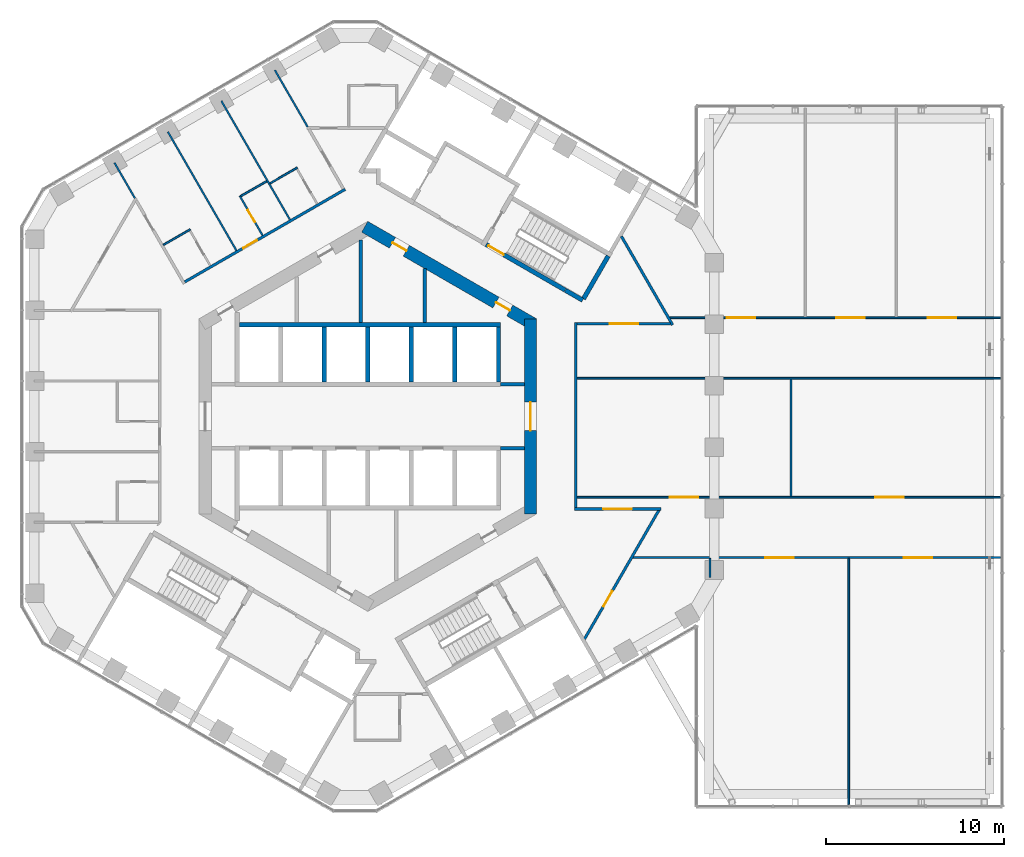
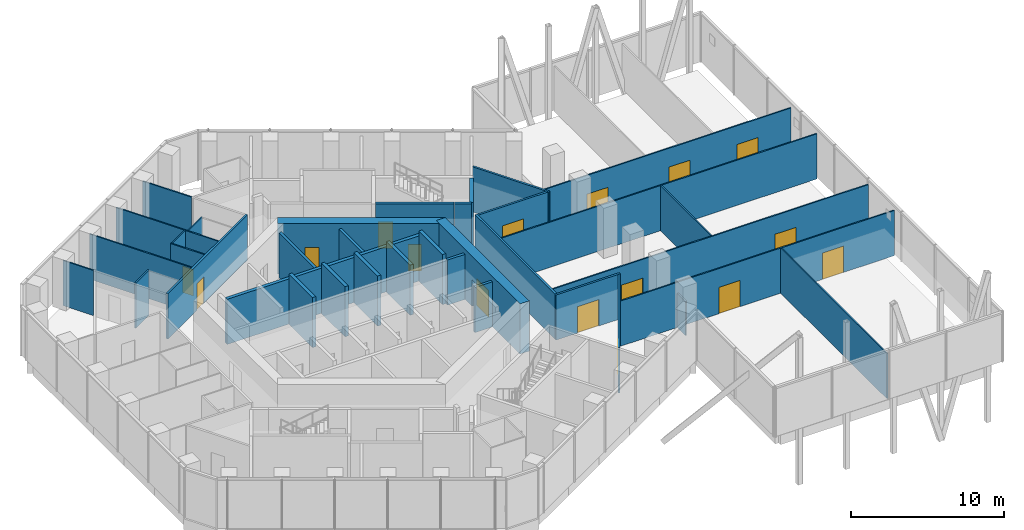
# One storey, part 20 of 24: 36 walls, 16 doors, 16 openings.
"""IFC4 building model written with IfcOpenShell, lengths in metres."""

import ifcopenshell
import ifcopenshell.guid

model = None  # the IFC model being written
_history = None  # IfcOwnerHistory: only IFC2X3 demands one
_inside = {}  # id of a spatial element -> (the spatial element, [elements in it])
_under = {}  # id of a project, library or spatial element -> (it, [spatial elements below it])
_declared = {}  # id of a project -> (the project, [libraries it declares])
_typed = {}  # id of a type object -> (the type object, [elements of that type])
_made_of = {}  # id of a material, layer set ... -> (it, [elements and type objects made of it])


def new_model(schema):
    """Start an empty IFC model of exactly this schema.

    Asked for "IFC4X3", IfcOpenShell would pick the latest addendum, in which some entities
    have other attributes; the version numbers below select the first issue.
    IFC2X3 requires an IfcOwnerHistory on every rooted entity: one is made here for all.
    """
    global model, _history
    if schema == "IFC4X3":
        model = ifcopenshell.file(schema_version=(4, 3, 0, 0))
    else:
        model = ifcopenshell.file(schema=schema)
    _inside.clear()
    _under.clear()
    _declared.clear()
    _typed.clear()
    _made_of.clear()
    _history = None
    if model.schema == "IFC2X3":
        org = make("IfcOrganization", Name="unknown")
        user = make(
            "IfcPersonAndOrganization",
            ThePerson=make("IfcPerson", FamilyName="unknown"),
            TheOrganization=org,
        )
        app = make(
            "IfcApplication",
            ApplicationDeveloper=org,
            Version="unknown",
            ApplicationFullName="unknown",
            ApplicationIdentifier="unknown",
        )
        _history = make(
            "IfcOwnerHistory",
            OwningUser=user,
            OwningApplication=app,
            ChangeAction="ADDED",
            CreationDate=0,
        )
    return model


def make(cls, **values):
    """One entity of the class cls with the attributes given. An attribute that is None is left unset."""
    return model.create_entity(
        cls, **{name: value for name, value in values.items() if value is not None}
    )


def rooted(cls, **values):
    """An entity with a GlobalId (a new one), such as an element, a storey or a relation."""
    return make(cls, GlobalId=ifcopenshell.guid.new(), OwnerHistory=_history, **values)


def si_unit(unit_type, name, prefix=None):
    """IfcSIUnit, for example si_unit("LENGTHUNIT", "METRE", prefix="MILLI")."""
    return make("IfcSIUnit", UnitType=unit_type, Prefix=prefix, Name=name)


def assignment(units):
    """IfcUnitAssignment: the units of a project."""
    return None if units is None else make("IfcUnitAssignment", Units=units)


def point(xyz):
    """IfcCartesianPoint."""
    return None if xyz is None else make("IfcCartesianPoint", Coordinates=xyz)


def direction(xyz):
    """IfcDirection."""
    return None if xyz is None else make("IfcDirection", DirectionRatios=xyz)


def frame(location, z_axis=None, x_axis=None):
    """IfcAxis2Placement3D, a coordinate frame: its origin and axes. An axis left out is left unset."""
    return make(
        "IfcAxis2Placement3D",
        Location=point(location),
        Axis=direction(z_axis),
        RefDirection=direction(x_axis),
    )


def frame_2d(location, x_axis=None):
    """IfcAxis2Placement2D, a coordinate frame in the plane: its origin and x axis."""
    return make(
        "IfcAxis2Placement2D", Location=point(location), RefDirection=direction(x_axis)
    )


def origin():
    """The frame at (0, 0, 0) with its axes left unset."""
    return frame((0.0, 0.0, 0.0))


def place(relative_to, where):
    """IfcLocalPlacement: puts the frame where relative to a parent placement (None: the world)."""
    return make(
        "IfcLocalPlacement", PlacementRelTo=relative_to, RelativePlacement=where
    )


def context(
    kind, dimensions, precision=None, world=None, true_north=None, identifier=None
):
    """IfcGeometricRepresentationContext, for example the 3D "Model" context."""
    return make(
        "IfcGeometricRepresentationContext",
        ContextIdentifier=identifier,
        ContextType=kind,
        CoordinateSpaceDimension=dimensions,
        Precision=precision,
        WorldCoordinateSystem=world,
        TrueNorth=true_north,
    )


def subcontext(parent, identifier, kind, view, scale=None):
    """IfcGeometricRepresentationSubContext, for example "Body" below "Model"."""
    return make(
        "IfcGeometricRepresentationSubContext",
        ContextIdentifier=identifier,
        ContextType=kind,
        ParentContext=parent,
        TargetScale=scale,
        TargetView=view,
    )


def project(units=None, contexts=None):
    """IfcProject with its units and contexts."""
    return rooted(
        "IfcProject",
        Name="project",
        RepresentationContexts=contexts,
        UnitsInContext=assignment(units),
    )


def spatial(cls, under=None, at=None, **own):
    """A site, building, storey or space (cls), placed at a placement, below another one or the project."""
    s = rooted(cls, ObjectPlacement=at, **own)
    if under is not None:
        _under.setdefault(under.id(), (under, []))[1].append(s)
    return s


def profile(cls, at=None, kind="AREA", **sizes):
    """A parametric profile (cls). Its sizes go by their IFC names, for example OverallWidth=200.0."""
    return make(cls, ProfileType=kind, Position=at, **sizes)


def rectangle(**sizes):
    """IfcRectangleProfileDef."""
    return profile("IfcRectangleProfileDef", **sizes)


def extrude(swept, where, along, depth):
    """IfcExtrudedAreaSolid: the profile swept, set in the frame where, extruded along a direction by depth."""
    return make(
        "IfcExtrudedAreaSolid",
        SweptArea=swept,
        Position=where,
        ExtrudedDirection=direction(along),
        Depth=depth,
    )


def shape(context_of_items, identifier, shape_type, items):
    """IfcShapeRepresentation: the items that make up one representation, for example the "Body"."""
    return make(
        "IfcShapeRepresentation",
        ContextOfItems=context_of_items,
        RepresentationIdentifier=identifier,
        RepresentationType=shape_type,
        Items=items,
    )


def material(Name=None, Category=None):
    """IfcMaterial."""
    return make("IfcMaterial", Name=Name, Category=Category)


def layer(
    of_material, thickness, ventilated=None, Name=None, Category=None, Priority=None
):
    """IfcMaterialLayer: one layer of a wall or slab, of a material (None: an air gap)."""
    return make(
        "IfcMaterialLayer",
        Material=of_material,
        LayerThickness=thickness,
        IsVentilated=ventilated,
        Name=Name,
        Category=Category,
        Priority=Priority,
    )


def layer_set(layers, Name=None):
    """IfcMaterialLayerSet."""
    return make("IfcMaterialLayerSet", MaterialLayers=layers, LayerSetName=Name)


def made_of(thing, what):
    """Note that an element or type object is made of a material, layer set ...; save() writes the relation."""
    if what is not None:
        _made_of.setdefault(what.id(), (what, []))[1].append(thing)
    return thing


def type_object(cls, material=None, **own):
    """A type object (cls), such as IfcWallType, which elements share."""
    return made_of(rooted(cls, **own), material)


def element(
    cls,
    number,
    at=None,
    inside=None,
    cuts=None,
    type_object=None,
    material=None,
    context=None,
    identifier="Body",
    shape_type=None,
    held_by="IfcProductDefinitionShape",
    body=None,
    shapes=None,
    **own,
):
    """One element of the class cls, such as IfcWall. Its Tag is "e" and its number.

    at: its placement. inside: the storey or other place that contains it. cuts: it is an
    opening in that element (IfcRelVoidsElement). A single representation is given by context,
    identifier, shape_type and body (its items); several are given by shapes. held_by: the class
    of the entity that holds the representations. save() writes the other relations.
    """
    e = rooted(cls, Tag="e%d" % number, ObjectPlacement=at, **own)
    if body is not None:
        shapes = [shape(context, identifier, shape_type, body)]
    if shapes is not None:
        e.Representation = make(held_by, Representations=shapes)
    if inside is not None:
        _inside.setdefault(inside.id(), (inside, []))[1].append(e)
    if cuts is not None:
        rooted(
            "IfcRelVoidsElement", RelatingBuildingElement=cuts, RelatedOpeningElement=e
        )
    if type_object is not None:
        _typed.setdefault(type_object.id(), (type_object, []))[1].append(e)
    return made_of(e, material)


def fill(opening, filler):
    """IfcRelFillsElement: the door or window that sits in an opening."""
    return rooted(
        "IfcRelFillsElement",
        RelatingOpeningElement=opening,
        RelatedBuildingElement=filler,
    )


def aggregate(whole, parts):
    """IfcRelAggregates: a whole, such as a stair, and the parts it consists of."""
    return rooted("IfcRelAggregates", RelatingObject=whole, RelatedObjects=parts)


def save(model, path):
    """Write the relations noted so far, then the file.

    IfcRelAggregates (storeys below a building ...), IfcRelContainedInSpatialStructure (elements
    in a storey), IfcRelDefinesByType, IfcRelAssociatesMaterial and IfcRelDeclares: one each for
    every whole, place, type object, material and project.
    """
    for whole, parts in _under.values():
        aggregate(whole, parts)
    for where, things in _inside.values():
        rooted(
            "IfcRelContainedInSpatialStructure",
            RelatedElements=things,
            RelatingStructure=where,
        )
    for kind, things in _typed.values():
        rooted("IfcRelDefinesByType", RelatedObjects=things, RelatingType=kind)
    for what, things in _made_of.values():
        rooted("IfcRelAssociatesMaterial", RelatedObjects=things, RelatingMaterial=what)
    for by, libraries in _declared.values():
        rooted("IfcRelDeclares", RelatingContext=by, RelatedDefinitions=libraries)
    model.write(path)


model = new_model("IFC4")

# Units and contexts
model_context = context("Model", 3, precision=1e-05, world=origin(), true_north=direction((0.0, 1.0)))
body_context = subcontext(model_context, "Body", "Model", "MODEL_VIEW")
ifc_project = project(units=[si_unit("LENGTHUNIT", "METRE"), si_unit("AREAUNIT", "SQUARE_METRE"), si_unit("VOLUMEUNIT", "CUBIC_METRE"), si_unit("PLANEANGLEUNIT", "RADIAN"), si_unit("MASSUNIT", "GRAM", prefix="KILO")], contexts=[model_context])

# Site, building, storey
site_placement = place(None, origin())
site = spatial("IfcSite", under=ifc_project, at=site_placement, CompositionType="ELEMENT")
building_placement = place(site_placement, origin())
building = spatial("IfcBuilding", under=site, at=building_placement, Name="Ayvan Gate Tower", CompositionType="ELEMENT")
storey_placement = place(building_placement, frame((0.0, 0.0, 124.5)))
storey = spatial("IfcBuildingStorey", under=building, at=storey_placement, Name="L33", CompositionType="ELEMENT", Elevation=124.5)

# Wall, opening, door
ifc_material_1 = material(Name="Concrete C70/85", Category="concrete")
ifc_layer_1 = layer(ifc_material_1, 0.699951171875)
ifc_layer_set_1 = layer_set([ifc_layer_1], Name="Concrete C70/85")
wall_type_1 = type_object("IfcWallType", Name="Core wall 700 C70/85", PredefinedType="SHEAR", material=ifc_layer_set_1)
wall_1_placement = place(storey_placement, frame((9.14990234375, -5.48486328125, 0.0), z_axis=(0.0, 0.0, 1.0), x_axis=(0.0, 1.0, 0.0)))
wall_1 = element("IfcWall", 1, at=wall_1_placement, inside=storey, type_object=wall_type_1, Name="CORE-L33-0", PredefinedType="SHEAR", context=body_context, shape_type="SweptSolid", body=[
    extrude(rectangle(XDim=10.9697265625, YDim=0.699951171875, at=frame_2d((5.48486328125, 0.0))), origin(), (0.0, 0.0, 1.0), 4.0),
])
opening_1_placement = place(wall_1_placement, frame((4.684814453125, 0.0, 0.0)))
opening_1 = element("IfcOpeningElement", 2, at=opening_1_placement, cuts=wall_1, Name="Opening L33-D51", PredefinedType="OPENING", context=body_context, shape_type="SweptSolid", body=[
    extrude(rectangle(XDim=1.60009765625, YDim=2.10009765625, at=frame_2d((0.800048828125, 1.050048828125))), frame((0.0, 0.35986328125, 0.0), z_axis=(0.0, -1.0, 0.0), x_axis=(1.0, 0.0, 0.0)), (0.0, 0.0, 1.0), 0.719970703125),
])
ifc_material_2 = material(Name="Timber door leaf", Category="wood")
door_type_1 = type_object("IfcDoorType", Name="DT-1600", OperationType="NOTDEFINED", PredefinedType="DOOR", material=ifc_material_2)
door_1_placement = place(opening_1_placement, origin())
door_1 = element("IfcDoor", 3, at=door_1_placement, inside=storey, type_object=door_type_1, Name="CD-L33-51", OperationType="SINGLE_SWING_RIGHT", OverallHeight=2.10009765625, OverallWidth=1.60009765625, PredefinedType="DOOR", context=body_context, shape_type="SweptSolid", body=[
    extrude(rectangle(XDim=1.60009765625, YDim=2.10009765625, at=frame_2d((0.800048828125, 1.050048828125))), frame((0.0, 0.02490234375, 0.0), z_axis=(0.0, -1.0, 0.0), x_axis=(1.0, 0.0, 0.0)), (0.0, 0.0, 1.0), 0.050048828125),
])
fill(opening_1, door_1)

# Wall, openings, doors
wall_2_placement = place(storey_placement, frame((9.324951171875, 5.181640625, 0.0), z_axis=(0.0, 0.0, 1.0), x_axis=(-0.866023993627, 0.500002442456, 0.0)))
wall_2 = element("IfcWall", 4, at=wall_2_placement, inside=storey, type_object=wall_type_1, Name="CORE-L33-1", PredefinedType="SHEAR", context=body_context, shape_type="SweptSolid", body=[
    extrude(rectangle(XDim=10.9697265625, YDim=0.699951171875, at=frame_2d((5.48486328125, 0.0))), origin(), (0.0, 0.0, 1.0), 4.0),
])
opening_2_placement = place(wall_2_placement, frame((8.267333984375, 0.0, 0.0)))
opening_2 = element("IfcOpeningElement", 5, at=opening_2_placement, cuts=wall_2, Name="Opening L33-D46", PredefinedType="OPENING", context=body_context, shape_type="SweptSolid", body=[
    extrude(rectangle(XDim=0.89990234375, YDim=2.10009765625, at=frame_2d((0.449951171875, 1.050048828125))), frame((0.0, 0.35986328125, 0.0), z_axis=(0.0, -1.0, 0.0), x_axis=(1.0, 0.0, 0.0)), (0.0, 0.0, 1.0), 0.719970703125),
])
opening_3_placement = place(wall_2_placement, frame((1.547119140625, 0.0, 0.0)))
opening_3 = element("IfcOpeningElement", 6, at=opening_3_placement, cuts=wall_2, Name="Opening L33-D47", PredefinedType="OPENING", context=body_context, shape_type="SweptSolid", body=[
    extrude(rectangle(XDim=0.89990234375, YDim=2.10009765625, at=frame_2d((0.449951171875, 1.050048828125))), frame((0.0, 0.35986328125, 0.0), z_axis=(0.0, -1.0, 0.0), x_axis=(1.0, 0.0, 0.0)), (0.0, 0.0, 1.0), 0.719970703125),
])
door_type_2 = type_object("IfcDoorType", Name="DT-900", OperationType="NOTDEFINED", PredefinedType="DOOR", material=ifc_material_2)
door_2_placement = place(opening_2_placement, origin())
door_2 = element("IfcDoor", 7, at=door_2_placement, inside=storey, type_object=door_type_2, Name="CD-L33-46", OperationType="SINGLE_SWING_LEFT", OverallHeight=2.10009765625, OverallWidth=0.89990234375, PredefinedType="DOOR", context=body_context, shape_type="SweptSolid", body=[
    extrude(rectangle(XDim=0.89990234375, YDim=2.10009765625, at=frame_2d((0.449951171875, 1.050048828125))), frame((0.0, 0.02490234375, 0.0), z_axis=(0.0, -1.0, 0.0), x_axis=(1.0, 0.0, 0.0)), (0.0, 0.0, 1.0), 0.050048828125),
])
fill(opening_2, door_2)
door_3_placement = place(opening_3_placement, origin())
door_3 = element("IfcDoor", 8, at=door_3_placement, inside=storey, type_object=door_type_2, Name="CD-L33-47", OperationType="SINGLE_SWING_RIGHT", OverallHeight=2.10009765625, OverallWidth=0.89990234375, PredefinedType="DOOR", context=body_context, shape_type="SweptSolid", body=[
    extrude(rectangle(XDim=0.89990234375, YDim=2.10009765625, at=frame_2d((0.449951171875, 1.050048828125))), frame((0.0, 0.02490234375, 0.0), z_axis=(0.0, -1.0, 0.0), x_axis=(1.0, 0.0, 0.0)), (0.0, 0.0, 1.0), 0.050048828125),
])
fill(opening_3, door_3)

# Wall, opening, door
ifc_material_3 = material(Name="Plasterboard on steel stud", Category="steel")
ifc_layer_2 = layer(ifc_material_3, 0.14990234375)
ifc_layer_set_2 = layer_set([ifc_layer_2], Name="Plasterboard on steel stud")
wall_type_2 = type_object("IfcWallType", Name="WT-CORR-150", PredefinedType="PARTITIONING", material=ifc_layer_set_2)
wall_3_placement = place(storey_placement, frame((-10.297119140625, 7.56494140625, 0.0), z_axis=(0.0, 0.0, 1.0), x_axis=(0.866021325373, 0.50000706395, 0.0)))
wall_3 = element("IfcWall", 9, at=wall_3_placement, inside=storey, type_object=wall_type_2, Name="IW-L33-019", PredefinedType="PARTITIONING", context=body_context, shape_type="SweptSolid", body=[
    extrude(rectangle(XDim=10.420166015625, YDim=0.14990234375, at=frame_2d((5.2099609375, 0.0))), origin(), (0.0, 0.0, 1.0), 3.60009765625),
])
opening_4_placement = place(wall_3_placement, frame((3.79833984375, 0.0, 0.0)))
opening_4 = element("IfcOpeningElement", 10, at=opening_4_placement, cuts=wall_3, Name="Opening L33-D30", PredefinedType="OPENING", context=body_context, shape_type="SweptSolid", body=[
    extrude(rectangle(XDim=0.89990234375, YDim=2.10009765625, at=frame_2d((0.449951171875, 1.050048828125))), frame((0.0, 0.0849609375, 0.0), z_axis=(0.0, -1.0, 0.0), x_axis=(1.0, 0.0, 0.0)), (0.0, 0.0, 1.0), 0.169921875),
])
door_4_placement = place(opening_4_placement, origin())
door_4 = element("IfcDoor", 11, at=door_4_placement, inside=storey, type_object=door_type_2, Name="ID-L33-030", OperationType="SINGLE_SWING_LEFT", OverallHeight=2.10009765625, OverallWidth=0.89990234375, PredefinedType="DOOR", context=body_context, shape_type="SweptSolid", body=[
    extrude(rectangle(XDim=0.89990234375, YDim=2.10009765625, at=frame_2d((0.449951171875, 1.050048828125))), frame((0.0, 0.02490234375, 0.0), z_axis=(0.0, -1.0, 0.0), x_axis=(1.0, 0.0, 0.0)), (0.0, 0.0, 1.0), 0.050048828125),
])
fill(opening_4, door_4)

wall_4_placement = place(storey_placement, frame((11.625, -5.210205078125, 0.0), z_axis=(0.0, 0.0, 1.0), x_axis=(1.0, 0.0, 0.0)))
wall_4 = element("IfcWall", 12, at=wall_4_placement, inside=storey, type_object=wall_type_2, Name="IW-L33-105", PredefinedType="PARTITIONING", context=body_context, shape_type="SweptSolid", body=[
    extrude(rectangle(XDim=4.862548828125, YDim=0.14990234375, at=frame_2d((2.43115234375, 0.0))), origin(), (0.0, 0.0, 1.0), 3.60009765625),
])
opening_5_placement = place(wall_4_placement, frame((1.631103515625, 0.0, 0.0)))
opening_5 = element("IfcOpeningElement", 13, at=opening_5_placement, cuts=wall_4, Name="Opening L33-D34", PredefinedType="OPENING", context=body_context, shape_type="SweptSolid", body=[
    extrude(rectangle(XDim=1.60009765625, YDim=2.10009765625, at=frame_2d((0.800048828125, 1.050048828125))), frame((0.0, 0.0849609375, 0.0), z_axis=(0.0, -1.0, 0.0), x_axis=(1.0, 0.0, 0.0)), (0.0, 0.0, 1.0), 0.169921875),
])
door_5_placement = place(opening_5_placement, origin())
door_5 = element("IfcDoor", 14, at=door_5_placement, inside=storey, type_object=door_type_1, Name="ID-L33-034", OperationType="SINGLE_SWING_LEFT", OverallHeight=2.10009765625, OverallWidth=1.60009765625, PredefinedType="DOOR", context=body_context, shape_type="SweptSolid", body=[
    extrude(rectangle(XDim=1.60009765625, YDim=2.10009765625, at=frame_2d((0.800048828125, 1.050048828125))), frame((0.0, 0.02490234375, 0.0), z_axis=(0.0, -1.0, 0.0), x_axis=(1.0, 0.0, 0.0)), (0.0, 0.0, 1.0), 0.050048828125),
])
fill(opening_5, door_5)

# Walls
wall_5_placement = place(storey_placement, frame((11.699951171875, -5.135009765625, 0.0), z_axis=(0.0, 0.0, 1.0), x_axis=(0.0, 1.0, 0.0)))
element("IfcWall", 15, at=wall_5_placement, inside=storey, type_object=wall_type_2, Name="IW-L33-107", PredefinedType="PARTITIONING", context=body_context, shape_type="SweptSolid", body=[
    extrude(rectangle(XDim=10.420166015625, YDim=0.14990234375, at=frame_2d((5.2099609375, 0.0))), origin(), (0.0, 0.0, 1.0), 3.60009765625),
])
wall_6_placement = place(storey_placement, frame((14.263671875, 10.132080078125, 0.0), z_axis=(0.0, 0.0, 1.0), x_axis=(0.500001380108, -0.866024606977, 0.0)))
element("IfcWall", 16, at=wall_6_placement, inside=storey, type_object=wall_type_2, Name="IW-L33-110", PredefinedType="PARTITIONING", context=body_context, shape_type="SweptSolid", body=[
    extrude(rectangle(XDim=5.75830078125, YDim=0.14990234375, at=frame_2d((2.879150390625, 0.0))), origin(), (0.0, 0.0, 1.0), 3.60009765625),
])

# Wall, opening, door
wall_7_placement = place(storey_placement, frame((12.18505859375, -12.531982421875, 0.0), z_axis=(0.0, 0.0, 1.0), x_axis=(0.500018368146, 0.86601479867, 0.0)))
wall_7 = element("IfcWall", 17, at=wall_7_placement, inside=storey, type_object=wall_type_2, Name="IW-L33-112", PredefinedType="PARTITIONING", context=body_context, shape_type="SweptSolid", body=[
    extrude(rectangle(XDim=8.379638671875, YDim=0.14990234375, at=frame_2d((4.18994140625, 0.0))), origin(), (0.0, 0.0, 1.0), 3.60009765625),
])
opening_6_placement = place(wall_7_placement, frame((2.134521484375, 0.0, 0.0)))
opening_6 = element("IfcOpeningElement", 18, at=opening_6_placement, cuts=wall_7, Name="Opening L33-D36", PredefinedType="OPENING", context=body_context, shape_type="SweptSolid", body=[
    extrude(rectangle(XDim=1.0, YDim=2.10009765625, at=frame_2d((0.5, 1.050048828125))), frame((0.0, 0.0849609375, 0.0), z_axis=(0.0, -1.0, 0.0), x_axis=(1.0, 0.0, 0.0)), (0.0, 0.0, 1.0), 0.169921875),
])
door_type_3 = type_object("IfcDoorType", Name="DT-1000", OperationType="NOTDEFINED", PredefinedType="DOOR", material=ifc_material_2)
door_6_placement = place(opening_6_placement, origin())
door_6 = element("IfcDoor", 19, at=door_6_placement, inside=storey, type_object=door_type_3, Name="ID-L33-036", OperationType="SINGLE_SWING_LEFT", OverallHeight=2.10009765625, OverallWidth=1.0, PredefinedType="DOOR", context=body_context, shape_type="SweptSolid", body=[
    extrude(rectangle(XDim=1.0, YDim=2.10009765625, at=frame_2d((0.5, 1.050048828125))), frame((0.0, 0.02490234375, 0.0), z_axis=(0.0, -1.0, 0.0), x_axis=(1.0, 0.0, 0.0)), (0.0, 0.0, 1.0), 0.050048828125),
])
fill(opening_6, door_6)

wall_8_placement = place(storey_placement, frame((17.0302734375, 5.210205078125, 0.0), z_axis=(0.0, 0.0, 1.0), x_axis=(-1.0, 0.0, 0.0)))
wall_8 = element("IfcWall", 20, at=wall_8_placement, inside=storey, type_object=wall_type_2, Name="IW-L33-114", PredefinedType="PARTITIONING", context=body_context, shape_type="SweptSolid", body=[
    extrude(rectangle(XDim=5.25537109375, YDim=0.14990234375, at=frame_2d((2.627685546875, 0.0))), origin(), (0.0, 0.0, 1.0), 3.60009765625),
])
opening_7_placement = place(wall_8_placement, frame((1.82763671875, 0.0, 0.0)))
opening_7 = element("IfcOpeningElement", 21, at=opening_7_placement, cuts=wall_8, Name="Opening L33-D35", PredefinedType="OPENING", context=body_context, shape_type="SweptSolid", body=[
    extrude(rectangle(XDim=1.60009765625, YDim=2.10009765625, at=frame_2d((0.800048828125, 1.050048828125))), frame((0.0, 0.0849609375, 0.0), z_axis=(0.0, -1.0, 0.0), x_axis=(1.0, 0.0, 0.0)), (0.0, 0.0, 1.0), 0.169921875),
])
door_7_placement = place(opening_7_placement, origin())
door_7 = element("IfcDoor", 22, at=door_7_placement, inside=storey, type_object=door_type_1, Name="ID-L33-035", OperationType="SINGLE_SWING_RIGHT", OverallHeight=2.10009765625, OverallWidth=1.60009765625, PredefinedType="DOOR", context=body_context, shape_type="SweptSolid", body=[
    extrude(rectangle(XDim=1.60009765625, YDim=2.10009765625, at=frame_2d((0.800048828125, 1.050048828125))), frame((0.0, 0.02490234375, 0.0), z_axis=(0.0, -1.0, 0.0), x_axis=(1.0, 0.0, 0.0)), (0.0, 0.0, 1.0), 0.050048828125),
])
fill(opening_7, door_7)

# Walls
ifc_layer_3 = layer(ifc_material_3, 0.10009765625)
ifc_layer_set_3 = layer_set([ifc_layer_3], Name="Plasterboard on steel stud")
wall_type_3 = type_object("IfcWallType", Name="WT-PART-100", PredefinedType="PARTITIONING", material=ifc_layer_set_3)
wall_9_placement = place(storey_placement, frame((-14.2548828125, 14.27001953125, 0.0), z_axis=(0.0, 0.0, 1.0), x_axis=(0.499954687168, -0.86605156358, 0.0)))
element("IfcWall", 23, at=wall_9_placement, inside=storey, type_object=wall_type_3, Name="IW-L33-005", PredefinedType="PARTITIONING", context=body_context, shape_type="SweptSolid", body=[
    extrude(rectangle(XDim=2.305419921875, YDim=0.10009765625, at=frame_2d((1.15283203125, 0.0))), origin(), (0.0, 0.0, 1.0), 3.60009765625),
])
wall_10_placement = place(storey_placement, frame((-9.98291015625, 10.517578125, 0.0), z_axis=(0.0, 0.0, 1.0), x_axis=(-0.866008858732, -0.500028655776, 0.0)))
element("IfcWall", 24, at=wall_10_placement, inside=storey, type_object=wall_type_3, Name="IW-L33-020", PredefinedType="PARTITIONING", context=body_context, shape_type="SweptSolid", body=[
    extrude(rectangle(XDim=1.74853515625, YDim=0.10009765625, at=frame_2d((0.874267578125, 0.0))), origin(), (0.0, 0.0, 1.0), 3.60009765625),
])
wall_11_placement = place(storey_placement, frame((-7.3916015625, 9.3291015625, 0.0), z_axis=(0.0, 0.0, 1.0), x_axis=(-0.499997453958, 0.866026873738, 0.0)))
element("IfcWall", 25, at=wall_11_placement, inside=storey, type_object=wall_type_3, Name="IW-L33-027", PredefinedType="PARTITIONING", context=body_context, shape_type="SweptSolid", body=[
    extrude(rectangle(XDim=7.71044921875, YDim=0.10009765625, at=frame_2d((3.855224609375, 0.0))), origin(), (0.0, 0.0, 1.0), 3.60009765625),
])

# Wall, opening, door
wall_12_placement = place(storey_placement, frame((-7.206787109375, 12.4091796875, 0.0), z_axis=(0.0, 0.0, 1.0), x_axis=(0.500034319456, -0.866005588531, 0.0)))
wall_12 = element("IfcWall", 26, at=wall_12_placement, inside=storey, type_object=wall_type_3, Name="IW-L33-033", PredefinedType="PARTITIONING", context=body_context, shape_type="SweptSolid", body=[
    extrude(rectangle(XDim=2.574951171875, YDim=0.10009765625, at=frame_2d((1.28759765625, 0.0))), origin(), (0.0, 0.0, 1.0), 3.60009765625),
])
opening_8_placement = place(wall_12_placement, frame((0.91259765625, 0.0, 0.0)))
opening_8 = element("IfcOpeningElement", 27, at=opening_8_placement, cuts=wall_12, Name="Opening L33-D31", PredefinedType="OPENING", context=body_context, shape_type="SweptSolid", body=[
    extrude(rectangle(XDim=0.800048828125, YDim=2.10009765625, at=frame_2d((0.39990234375, 1.050048828125))), frame((0.0, 0.06005859375, 0.0), z_axis=(0.0, -1.0, 0.0), x_axis=(1.0, 0.0, 0.0)), (0.0, 0.0, 1.0), 0.1201171875),
])
door_type_4 = type_object("IfcDoorType", Name="DT-800", OperationType="NOTDEFINED", PredefinedType="DOOR", material=ifc_material_2)
door_8_placement = place(opening_8_placement, origin())
door_8 = element("IfcDoor", 28, at=door_8_placement, inside=storey, type_object=door_type_4, Name="ID-L33-031", OperationType="SINGLE_SWING_RIGHT", OverallHeight=2.10009765625, OverallWidth=0.800048828125, PredefinedType="DOOR", context=body_context, shape_type="SweptSolid", body=[
    extrude(rectangle(XDim=0.800048828125, YDim=2.10009765625, at=frame_2d((0.39990234375, 1.050048828125))), frame((0.0, 0.02490234375, 0.0), z_axis=(0.0, -1.0, 0.0), x_axis=(1.0, 0.0, 0.0)), (0.0, 0.0, 1.0), 0.050048828125),
])
fill(opening_8, door_8)

# Walls
wall_13_placement = place(storey_placement, frame((-5.689208984375, 13.2275390625, 0.0), z_axis=(0.0, 0.0, 1.0), x_axis=(-0.866034955486, -0.499983455602, 0.0)))
element("IfcWall", 29, at=wall_13_placement, inside=storey, type_object=wall_type_3, Name="IW-L33-036", PredefinedType="PARTITIONING", context=body_context, shape_type="SweptSolid", body=[
    extrude(rectangle(XDim=1.67333984375, YDim=0.10009765625, at=frame_2d((0.836669921875, 0.0))), origin(), (0.0, 0.0, 1.0), 3.60009765625),
])
wall_14_placement = place(storey_placement, frame((-8.23876953125, 17.743408203125, 0.0), z_axis=(0.0, 0.0, 1.0), x_axis=(0.499997453958, -0.866026873738, 0.0)))
element("IfcWall", 30, at=wall_14_placement, inside=storey, type_object=wall_type_3, Name="IW-L33-037", PredefinedType="PARTITIONING", context=body_context, shape_type="SweptSolid", body=[
    extrude(rectangle(XDim=7.71044921875, YDim=0.10009765625, at=frame_2d((3.855224609375, 0.0))), origin(), (0.0, 0.0, 1.0), 3.60009765625),
])
wall_15_placement = place(storey_placement, frame((-3.966796875, 13.990966796875, 0.0), z_axis=(0.0, 0.0, 1.0), x_axis=(-0.866031993141, -0.499988586725, 0.0)))
element("IfcWall", 31, at=wall_15_placement, inside=storey, type_object=wall_type_3, Name="IW-L33-042", PredefinedType="PARTITIONING", context=body_context, shape_type="SweptSolid", body=[
    extrude(rectangle(XDim=1.7734375, YDim=0.10009765625, at=frame_2d((0.88671875, 0.0))), origin(), (0.0, 0.0, 1.0), 3.60009765625),
])
wall_16_placement = place(storey_placement, frame((-3.38525390625, 16.28369140625, 0.0), z_axis=(0.0, 0.0, 1.0), x_axis=(-0.500016385341, 0.866015943496, 0.0)))
element("IfcWall", 32, at=wall_16_placement, inside=storey, type_object=wall_type_3, Name="IW-L33-045", PredefinedType="PARTITIONING", context=body_context, shape_type="SweptSolid", body=[
    extrude(rectangle(XDim=3.69091796875, YDim=0.10009765625, at=frame_2d((1.845458984375, 0.0))), origin(), (0.0, 0.0, 1.0), 3.60009765625),
])

# Wall, openings, doors
wall_17_placement = place(storey_placement, frame((11.77490234375, -4.543212890625, 0.0), z_axis=(0.0, 0.0, 1.0), x_axis=(1.0, 0.0, 0.0)))
wall_17 = element("IfcWall", 33, at=wall_17_placement, inside=storey, type_object=wall_type_3, Name="IW-L33-106", PredefinedType="PARTITIONING", context=body_context, shape_type="SweptSolid", body=[
    extrude(rectangle(XDim=23.806640625, YDim=0.10009765625, at=frame_2d((11.9033203125, 0.0))), origin(), (0.0, 0.0, 1.0), 3.60009765625),
])
opening_9_placement = place(wall_17_placement, frame((5.201171875, 0.0, 0.0)))
opening_9 = element("IfcOpeningElement", 34, at=opening_9_placement, cuts=wall_17, Name="Opening L33-D42", PredefinedType="OPENING", context=body_context, shape_type="SweptSolid", body=[
    extrude(rectangle(XDim=1.60009765625, YDim=2.10009765625, at=frame_2d((0.800048828125, 1.050048828125))), frame((0.0, 0.06005859375, 0.0), z_axis=(0.0, -1.0, 0.0), x_axis=(1.0, 0.0, 0.0)), (0.0, 0.0, 1.0), 0.1201171875),
])
opening_10_placement = place(wall_17_placement, frame((16.761474609375, 0.0, 0.0)))
opening_10 = element("IfcOpeningElement", 35, at=opening_10_placement, cuts=wall_17, Name="Opening L33-D43", PredefinedType="OPENING", context=body_context, shape_type="SweptSolid", body=[
    extrude(rectangle(XDim=1.60009765625, YDim=2.10009765625, at=frame_2d((0.800048828125, 1.050048828125))), frame((0.0, 0.06005859375, 0.0), z_axis=(0.0, -1.0, 0.0), x_axis=(1.0, 0.0, 0.0)), (0.0, 0.0, 1.0), 0.1201171875),
])
door_9_placement = place(opening_9_placement, origin())
door_9 = element("IfcDoor", 36, at=door_9_placement, inside=storey, type_object=door_type_1, Name="ID-L33-042", OperationType="SINGLE_SWING_LEFT", OverallHeight=2.10009765625, OverallWidth=1.60009765625, PredefinedType="DOOR", context=body_context, shape_type="SweptSolid", body=[
    extrude(rectangle(XDim=1.60009765625, YDim=2.10009765625, at=frame_2d((0.800048828125, 1.050048828125))), frame((0.0, 0.02490234375, 0.0), z_axis=(0.0, -1.0, 0.0), x_axis=(1.0, 0.0, 0.0)), (0.0, 0.0, 1.0), 0.050048828125),
])
fill(opening_9, door_9)
door_10_placement = place(opening_10_placement, origin())
door_10 = element("IfcDoor", 37, at=door_10_placement, inside=storey, type_object=door_type_1, Name="ID-L33-043", OperationType="SINGLE_SWING_RIGHT", OverallHeight=2.10009765625, OverallWidth=1.60009765625, PredefinedType="DOOR", context=body_context, shape_type="SweptSolid", body=[
    extrude(rectangle(XDim=1.60009765625, YDim=2.10009765625, at=frame_2d((0.800048828125, 1.050048828125))), frame((0.0, 0.02490234375, 0.0), z_axis=(0.0, -1.0, 0.0), x_axis=(1.0, 0.0, 0.0)), (0.0, 0.0, 1.0), 0.050048828125),
])
fill(opening_10, door_10)

wall_18_placement = place(storey_placement, frame((16.988037109375, 5.543212890625, 0.0), z_axis=(0.0, 0.0, 1.0), x_axis=(1.0, 0.0, 0.0)))
wall_18 = element("IfcWall", 38, at=wall_18_placement, inside=storey, type_object=wall_type_3, Name="IW-L33-113", PredefinedType="PARTITIONING", context=body_context, shape_type="SweptSolid", body=[
    extrude(rectangle(XDim=18.593505859375, YDim=0.10009765625, at=frame_2d((9.296875, 0.0))), origin(), (0.0, 0.0, 1.0), 3.60009765625),
])
opening_11_placement = place(wall_18_placement, frame((3.19287109375, 0.0, 0.0)))
opening_11 = element("IfcOpeningElement", 39, at=opening_11_placement, cuts=wall_18, Name="Opening L33-D39", PredefinedType="OPENING", context=body_context, shape_type="SweptSolid", body=[
    extrude(rectangle(XDim=1.60009765625, YDim=2.10009765625, at=frame_2d((0.800048828125, 1.050048828125))), frame((0.0, 0.06005859375, 0.0), z_axis=(0.0, -1.0, 0.0), x_axis=(1.0, 0.0, 0.0)), (0.0, 0.0, 1.0), 0.1201171875),
])
opening_12_placement = place(wall_18_placement, frame((9.37353515625, 0.0, 0.0)))
opening_12 = element("IfcOpeningElement", 40, at=opening_12_placement, cuts=wall_18, Name="Opening L33-D40", PredefinedType="OPENING", context=body_context, shape_type="SweptSolid", body=[
    extrude(rectangle(XDim=1.60009765625, YDim=2.10009765625, at=frame_2d((0.800048828125, 1.050048828125))), frame((0.0, 0.06005859375, 0.0), z_axis=(0.0, -1.0, 0.0), x_axis=(1.0, 0.0, 0.0)), (0.0, 0.0, 1.0), 0.1201171875),
])
opening_13_placement = place(wall_18_placement, frame((14.504638671875, 0.0, 0.0)))
opening_13 = element("IfcOpeningElement", 41, at=opening_13_placement, cuts=wall_18, Name="Opening L33-D41", PredefinedType="OPENING", context=body_context, shape_type="SweptSolid", body=[
    extrude(rectangle(XDim=1.60009765625, YDim=2.10009765625, at=frame_2d((0.800048828125, 1.050048828125))), frame((0.0, 0.06005859375, 0.0), z_axis=(0.0, -1.0, 0.0), x_axis=(1.0, 0.0, 0.0)), (0.0, 0.0, 1.0), 0.1201171875),
])
door_11_placement = place(opening_11_placement, origin())
door_11 = element("IfcDoor", 42, at=door_11_placement, inside=storey, type_object=door_type_1, Name="ID-L33-039", OperationType="SINGLE_SWING_RIGHT", OverallHeight=2.10009765625, OverallWidth=1.60009765625, PredefinedType="DOOR", context=body_context, shape_type="SweptSolid", body=[
    extrude(rectangle(XDim=1.60009765625, YDim=2.10009765625, at=frame_2d((0.800048828125, 1.050048828125))), frame((0.0, 0.02490234375, 0.0), z_axis=(0.0, -1.0, 0.0), x_axis=(1.0, 0.0, 0.0)), (0.0, 0.0, 1.0), 0.050048828125),
])
fill(opening_11, door_11)
door_12_placement = place(opening_12_placement, origin())
door_12 = element("IfcDoor", 43, at=door_12_placement, inside=storey, type_object=door_type_1, Name="ID-L33-040", OperationType="SINGLE_SWING_LEFT", OverallHeight=2.10009765625, OverallWidth=1.60009765625, PredefinedType="DOOR", context=body_context, shape_type="SweptSolid", body=[
    extrude(rectangle(XDim=1.60009765625, YDim=2.10009765625, at=frame_2d((0.800048828125, 1.050048828125))), frame((0.0, 0.02490234375, 0.0), z_axis=(0.0, -1.0, 0.0), x_axis=(1.0, 0.0, 0.0)), (0.0, 0.0, 1.0), 0.050048828125),
])
fill(opening_12, door_12)
door_13_placement = place(opening_13_placement, origin())
door_13 = element("IfcDoor", 44, at=door_13_placement, inside=storey, type_object=door_type_1, Name="ID-L33-041", OperationType="SINGLE_SWING_RIGHT", OverallHeight=2.10009765625, OverallWidth=1.60009765625, PredefinedType="DOOR", context=body_context, shape_type="SweptSolid", body=[
    extrude(rectangle(XDim=1.60009765625, YDim=2.10009765625, at=frame_2d((0.800048828125, 1.050048828125))), frame((0.0, 0.02490234375, 0.0), z_axis=(0.0, -1.0, 0.0), x_axis=(1.0, 0.0, 0.0)), (0.0, 0.0, 1.0), 0.050048828125),
])
fill(opening_13, door_13)

# Wall
wall_19_placement = place(storey_placement, frame((19.248291015625, -7.993408203125, 0.0), z_axis=(0.0, 0.0, 1.0), x_axis=(0.0, -1.0, 0.0)))
element("IfcWall", 45, at=wall_19_placement, inside=storey, type_object=wall_type_3, Name="IW-L33-115", PredefinedType="PARTITIONING", context=body_context, shape_type="SweptSolid", body=[
    extrude(rectangle(XDim=1.0615234375, YDim=0.10009765625, at=frame_2d((0.53076171875, 0.0))), origin(), (0.0, 0.0, 1.0), 2.72509765625),
])

# Wall, openings, doors
wall_20_placement = place(storey_placement, frame((14.909423828125, -7.943359375, 0.0), z_axis=(0.0, 0.0, 1.0), x_axis=(1.0, 0.0, 0.0)))
wall_20 = element("IfcWall", 46, at=wall_20_placement, inside=storey, type_object=wall_type_3, Name="IW-L33-116", PredefinedType="PARTITIONING", context=body_context, shape_type="SweptSolid", body=[
    extrude(rectangle(XDim=20.672119140625, YDim=0.10009765625, at=frame_2d((10.3359375, 0.0))), origin(), (0.0, 0.0, 1.0), 3.60009765625),
])
opening_14_placement = place(wall_20_placement, frame((7.43896484375, 0.0, 0.0)))
opening_14 = element("IfcOpeningElement", 47, at=opening_14_placement, cuts=wall_20, Name="Opening L33-D37", PredefinedType="OPENING", context=body_context, shape_type="SweptSolid", body=[
    extrude(rectangle(XDim=1.60009765625, YDim=2.10009765625, at=frame_2d((0.800048828125, 1.050048828125))), frame((0.0, 0.06005859375, 0.0), z_axis=(0.0, -1.0, 0.0), x_axis=(1.0, 0.0, 0.0)), (0.0, 0.0, 1.0), 0.1201171875),
])
opening_15_placement = place(wall_20_placement, frame((15.24755859375, 0.0, 0.0)))
opening_15 = element("IfcOpeningElement", 48, at=opening_15_placement, cuts=wall_20, Name="Opening L33-D38", PredefinedType="OPENING", context=body_context, shape_type="SweptSolid", body=[
    extrude(rectangle(XDim=1.60009765625, YDim=2.10009765625, at=frame_2d((0.800048828125, 1.050048828125))), frame((0.0, 0.06005859375, 0.0), z_axis=(0.0, -1.0, 0.0), x_axis=(1.0, 0.0, 0.0)), (0.0, 0.0, 1.0), 0.1201171875),
])
door_14_placement = place(opening_14_placement, origin())
door_14 = element("IfcDoor", 49, at=door_14_placement, inside=storey, type_object=door_type_1, Name="ID-L33-037", OperationType="SINGLE_SWING_RIGHT", OverallHeight=2.10009765625, OverallWidth=1.60009765625, PredefinedType="DOOR", context=body_context, shape_type="SweptSolid", body=[
    extrude(rectangle(XDim=1.60009765625, YDim=2.10009765625, at=frame_2d((0.800048828125, 1.050048828125))), frame((0.0, 0.02490234375, 0.0), z_axis=(0.0, -1.0, 0.0), x_axis=(1.0, 0.0, 0.0)), (0.0, 0.0, 1.0), 0.050048828125),
])
fill(opening_14, door_14)
door_15_placement = place(opening_15_placement, origin())
door_15 = element("IfcDoor", 50, at=door_15_placement, inside=storey, type_object=door_type_1, Name="ID-L33-038", OperationType="SINGLE_SWING_LEFT", OverallHeight=2.10009765625, OverallWidth=1.60009765625, PredefinedType="DOOR", context=body_context, shape_type="SweptSolid", body=[
    extrude(rectangle(XDim=1.60009765625, YDim=2.10009765625, at=frame_2d((0.800048828125, 1.050048828125))), frame((0.0, 0.02490234375, 0.0), z_axis=(0.0, -1.0, 0.0), x_axis=(1.0, 0.0, 0.0)), (0.0, 0.0, 1.0), 0.050048828125),
])
fill(opening_15, door_15)

# Walls
wall_21_placement = place(storey_placement, frame((23.807373046875, 2.09326171875, 0.0), z_axis=(0.0, 0.0, 1.0), x_axis=(0.0, -1.0, 0.0)))
element("IfcWall", 51, at=wall_21_placement, inside=storey, type_object=wall_type_3, Name="IW-L33-117", PredefinedType="PARTITIONING", context=body_context, shape_type="SweptSolid", body=[
    extrude(rectangle(XDim=6.586669921875, YDim=0.10009765625, at=frame_2d((3.29345703125, 0.0))), origin(), (0.0, 0.0, 1.0), 3.60009765625),
])
wall_22_placement = place(storey_placement, frame((11.77490234375, 2.143310546875, 0.0), z_axis=(0.0, 0.0, 1.0), x_axis=(1.0, 0.0, 0.0)))
element("IfcWall", 52, at=wall_22_placement, inside=storey, type_object=wall_type_3, Name="IW-L33-118", PredefinedType="PARTITIONING", context=body_context, shape_type="SweptSolid", body=[
    extrude(rectangle(XDim=23.806640625, YDim=0.10009765625, at=frame_2d((11.9033203125, 0.0))), origin(), (0.0, 0.0, 1.0), 3.60009765625),
])
wall_23_placement = place(storey_placement, frame((27.048583984375, -7.993408203125, 0.0), z_axis=(0.0, 0.0, 1.0), x_axis=(0.0, -1.0, 0.0)))
element("IfcWall", 53, at=wall_23_placement, inside=storey, type_object=wall_type_3, Name="IW-L33-120", PredefinedType="PARTITIONING", context=body_context, shape_type="SweptSolid", body=[
    extrude(rectangle(XDim=13.8525390625, YDim=0.10009765625, at=frame_2d((6.92626953125, 0.0))), origin(), (0.0, 0.0, 1.0), 3.60009765625),
])
ifc_layer_4 = layer(ifc_material_3, 0.199951171875)
ifc_layer_set_4 = layer_set([ifc_layer_4], Name="Plasterboard on steel stud")
wall_type_4 = type_object("IfcWallType", Name="WT-RATED-200", PredefinedType="PARTITIONING", material=ifc_layer_set_4)
wall_24_placement = place(storey_placement, frame((-0.39990234375, 9.930419921875, 0.0), z_axis=(0.0, 0.0, 1.0), x_axis=(0.0, -1.0, 0.0)))
element("IfcWall", 54, at=wall_24_placement, inside=storey, type_object=wall_type_4, Name="IW-L33-062", PredefinedType="PARTITIONING", context=body_context, shape_type="SweptSolid", body=[
    extrude(rectangle(XDim=4.655517578125, YDim=0.199951171875, at=frame_2d((2.32763671875, 0.0))), origin(), (0.0, 0.0, 1.0), 3.60009765625),
])
wall_25_placement = place(storey_placement, frame((3.199951171875, 8.313720703125, 0.0), z_axis=(0.0, 0.0, 1.0), x_axis=(0.0, -1.0, 0.0)))
element("IfcWall", 55, at=wall_25_placement, inside=storey, type_object=wall_type_4, Name="IW-L33-082", PredefinedType="PARTITIONING", context=body_context, shape_type="SweptSolid", body=[
    extrude(rectangle(XDim=3.038818359375, YDim=0.199951171875, at=frame_2d((1.51953125, 0.0))), origin(), (0.0, 0.0, 1.0), 3.60009765625),
])
for number, where, z_axis, x_axis, name in (
    (56, (7.474853515625, 1.800048828125, 0.0), (0.0, 0.0, 1.0), (1.0, 0.0, 0.0), "IW-L33-094"),
    (57, (8.800048828125, -1.800048828125, 0.0), (0.0, 0.0, 1.0), (-1.0, 0.0, 0.0), "IW-L33-100"),
):
    element("IfcWall", number, at=place(storey_placement, frame(where, z_axis=z_axis, x_axis=x_axis)), inside=storey, type_object=wall_type_4, Name=name, PredefinedType="PARTITIONING", context=body_context, shape_type="SweptSolid", body=[
        extrude(rectangle(XDim=1.3251953125, YDim=0.199951171875, at=frame_2d((0.66259765625, 0.0))), origin(), (0.0, 0.0, 1.0), 3.60009765625),
    ])
ifc_material_4 = material(Name="Concrete C50/60", Category="concrete")
ifc_layer_5 = layer(ifc_material_4, 0.25)
ifc_layer_set_5 = layer_set([ifc_layer_5], Name="Concrete C50/60")
wall_type_5 = type_object("IfcWallType", Name="WT-RC-250", PredefinedType="SHEAR", material=ifc_layer_set_5)
wall_26_placement = place(storey_placement, frame((-7.22509765625, 5.14990234375, 0.0), z_axis=(0.0, 0.0, 1.0), x_axis=(1.0, 0.0, 0.0)))
element("IfcWall", 58, at=wall_26_placement, inside=storey, type_object=wall_type_5, Name="IW-L33-031", PredefinedType="SHEAR", context=body_context, shape_type="SweptSolid", body=[
    extrude(rectangle(XDim=14.7001953125, YDim=0.25, at=frame_2d((7.35009765625, 0.0))), origin(), (0.0, 0.0, 1.0), 3.60009765625),
])
for number, where, z_axis, x_axis, name in (
    (59, (-2.449951171875, 5.02490234375, 0.0), (0.0, 0.0, 1.0), (0.0, -1.0, 0.0), "IW-L33-051"),
    (60, (0.0, 5.02490234375, 0.0), (0.0, 0.0, 1.0), (0.0, -1.0, 0.0), "IW-L33-065"),
    (61, (2.449951171875, 5.02490234375, 0.0), (0.0, 0.0, 1.0), (0.0, -1.0, 0.0), "IW-L33-078"),
    (62, (4.89990234375, 5.02490234375, 0.0), (0.0, 0.0, 1.0), (0.0, -1.0, 0.0), "IW-L33-087"),
    (63, (7.35009765625, 5.02490234375, 0.0), (0.0, 0.0, 1.0), (0.0, -1.0, 0.0), "IW-L33-096"),
):
    element("IfcWall", number, at=place(storey_placement, frame(where, z_axis=z_axis, x_axis=x_axis)), inside=storey, type_object=wall_type_5, Name=name, PredefinedType="SHEAR", context=body_context, shape_type="SweptSolid", body=[
        extrude(rectangle(XDim=3.099853515625, YDim=0.25, at=frame_2d((1.5498046875, 0.0))), origin(), (0.0, 0.0, 1.0), 4.0),
    ])

# Wall, opening, door
wall_27_placement = place(storey_placement, frame((11.10009765625, 7.101318359375, 0.0), z_axis=(0.0, 0.0, 1.0), x_axis=(-0.8660265141, 0.499998076872, 0.0)))
wall_27 = element("IfcWall", 64, at=wall_27_placement, inside=storey, type_object=wall_type_5, Name="IW-L33-104", PredefinedType="SHEAR", context=body_context, shape_type="SweptSolid", body=[
    extrude(rectangle(XDim=5.13720703125, YDim=0.25, at=frame_2d((2.568603515625, 0.0))), origin(), (0.0, 0.0, 1.0), 3.60009765625),
])
opening_16_placement = place(wall_27_placement, frame((3.9873046875, 0.0, 0.0)))
opening_16 = element("IfcOpeningElement", 65, at=opening_16_placement, cuts=wall_27, Name="Opening L33-D06", PredefinedType="OPENING", context=body_context, shape_type="SweptSolid", body=[
    extrude(rectangle(XDim=1.0, YDim=2.10009765625, at=frame_2d((0.5, 1.050048828125))), frame((0.0, 0.135009765625, 0.0), z_axis=(0.0, -1.0, 0.0), x_axis=(1.0, 0.0, 0.0)), (0.0, 0.0, 1.0), 0.27001953125),
])
door_16_placement = place(opening_16_placement, origin())
door_16 = element("IfcDoor", 66, at=door_16_placement, inside=storey, type_object=door_type_3, Name="ID-L33-006", OperationType="SINGLE_SWING_LEFT", OverallHeight=2.10009765625, OverallWidth=1.0, PredefinedType="DOOR", context=body_context, shape_type="SweptSolid", body=[
    extrude(rectangle(XDim=1.0, YDim=2.10009765625, at=frame_2d((0.5, 1.050048828125))), frame((0.0, 0.02490234375, 0.0), z_axis=(0.0, -1.0, 0.0), x_axis=(1.0, 0.0, 0.0)), (0.0, 0.0, 1.0), 0.050048828125),
])
fill(opening_16, door_16)

# Walls
wall_28_placement = place(storey_placement, frame((12.08544921875, 6.532470703125, 0.0), z_axis=(0.0, 0.0, 1.0), x_axis=(-0.86604373436, 0.499968249168, 0.0)))
element("IfcWall", 67, at=wall_28_placement, inside=storey, type_object=wall_type_5, Name="IW-L33-108", PredefinedType="SHEAR", context=body_context, shape_type="SweptSolid", body=[
    extrude(rectangle(XDim=1.11767578125, YDim=0.25, at=frame_2d((0.558837890625, 0.0))), origin(), (0.0, 0.0, 1.0), 3.60009765625),
])
wall_29_placement = place(storey_placement, frame((13.52294921875, 9.022216796875, 0.0), z_axis=(0.0, 0.0, 1.0), x_axis=(-0.500013277472, -0.866017737897, 0.0)))
element("IfcWall", 68, at=wall_29_placement, inside=storey, type_object=wall_type_5, Name="IW-L33-109", PredefinedType="SHEAR", context=body_context, shape_type="SweptSolid", body=[
    extrude(rectangle(XDim=2.78564453125, YDim=0.25, at=frame_2d((1.392822265625, 0.0))), origin(), (0.0, 0.0, 1.0), 3.60009765625),
])

save(model, "model.ifc")
